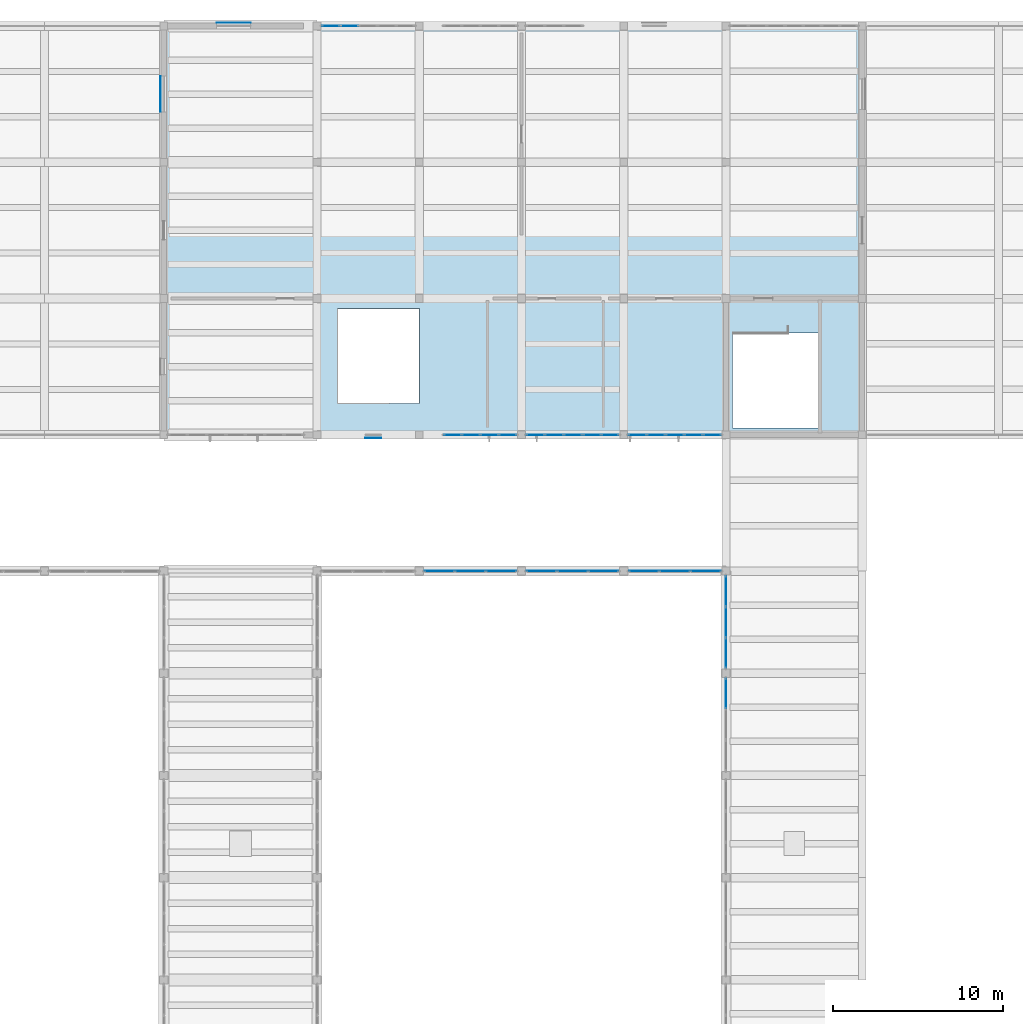
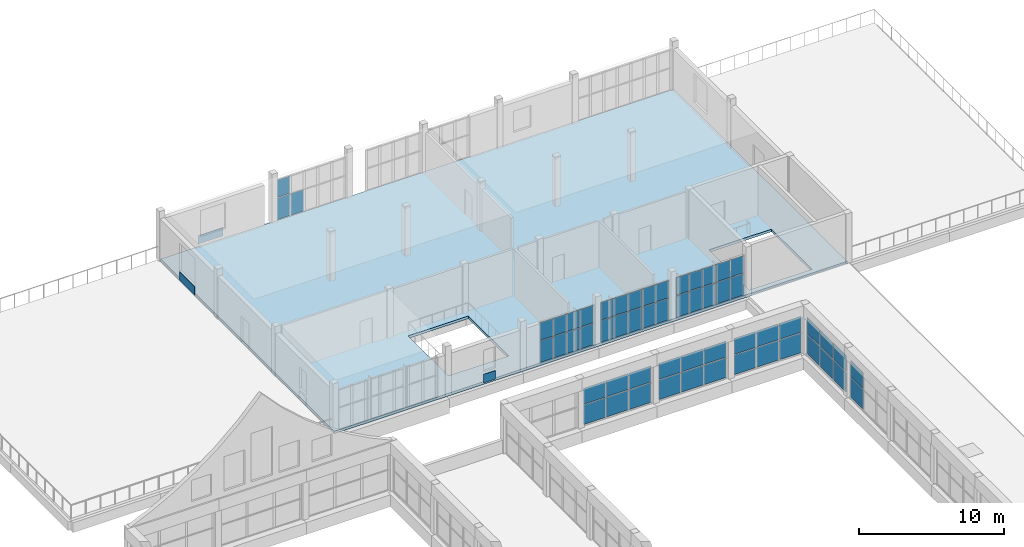
# One storey, part 48 of 70: 60 plates, 1 slab, 10 elements without a shape of their own.
"""IFC4 building model written with IfcOpenShell, lengths in metres."""

from ifc_helpers import new_model, si_unit, direction, frame, origin, origin_2d, place, context, subcontext, project, spatial, polyline, rectangle, outline, extrude, material, layer, layer_set, type_object, element, aggregate, save


model = new_model("IFC4")

# Units and contexts
model_context = context("Model", 3, precision=1e-05, world=origin(), true_north=direction((0.0, 1.0)))
body_context = subcontext(model_context, "Body", "Model", "MODEL_VIEW")
ifc_project = project(units=[si_unit("LENGTHUNIT", "METRE"), si_unit("AREAUNIT", "SQUARE_METRE"), si_unit("VOLUMEUNIT", "CUBIC_METRE"), si_unit("PLANEANGLEUNIT", "RADIAN"), si_unit("MASSUNIT", "GRAM", prefix="KILO")], contexts=[model_context])

# Site, building, storey
site_placement = place(None, origin())
site = spatial("IfcSite", under=ifc_project, at=site_placement, CompositionType="ELEMENT")
building_placement = place(site_placement, origin())
building = spatial("IfcBuilding", under=site, at=building_placement, Name="Solvane Community Centre", CompositionType="ELEMENT")
storey_placement = place(building_placement, frame((0.0, 0.0, 9.60009765625)))
storey = spatial("IfcBuildingStorey", under=building, at=storey_placement, Name="L02", CompositionType="ELEMENT", Elevation=9.60009765625)

# Plates
ifc_material_1 = material(Name="Anodised bronze aluminium AW-6063 T6", Category="aluminium")
ifc_layer_1 = layer(ifc_material_1, 0.02392578125)
ifc_layer_set_1 = layer_set([ifc_layer_1], Name="Anodised bronze aluminium AW-6063 T6")
plate_type_1 = type_object("IfcPlateType", Name="Bronze Spandrel Cassette 24mm", PredefinedType="SHEET", material=ifc_layer_set_1)
plate_1_placement = place(storey_placement, frame((26.81298828125, 106.0, 0.06005859375), z_axis=(0.0, 0.0, 1.0), x_axis=(0.0, 1.0, 0.0)))
element("IfcPlate", 1, at=plate_1_placement, inside=storey, type_object=plate_type_1, Name="Art Deco Spandrel SPC-L02-036", PredefinedType="SHEET", context=body_context, shape_type="SweptSolid", body=[
    extrude(rectangle(XDim=2.10009765625, YDim=0.02392578125, at=origin_2d()), origin(), (0.0, 0.0, 1.0), 0.719970703125),
])
plate_2_placement = place(storey_placement, frame((31.10009765625, 110.18701171875, 0.06005859375), z_axis=(0.0, 0.0, 1.0), x_axis=(1.0, 0.0, 0.0)))
element("IfcPlate", 2, at=plate_2_placement, inside=storey, type_object=plate_type_1, Name="Art Deco Spandrel SPC-L02-037", PredefinedType="SHEET", context=body_context, shape_type="SweptSolid", body=[
    extrude(rectangle(XDim=2.0, YDim=0.02392578125, at=origin_2d()), origin(), (0.0, 0.0, 1.0), 0.719970703125),
])
plate_3_placement = place(storey_placement, frame((39.300048828125, 85.81298828125, 0.06005859375), z_axis=(0.0, 0.0, 1.0), x_axis=(-1.0, 0.0, 0.0)))
element("IfcPlate", 3, at=plate_3_placement, inside=storey, type_object=plate_type_1, Name="Art Deco Spandrel SPC-L02-040", PredefinedType="SHEET", context=body_context, shape_type="SweptSolid", body=[
    extrude(rectangle(XDim=0.949951171875, YDim=0.02392578125, at=origin_2d()), origin(), (0.0, 0.0, 1.0), 0.719970703125),
])

# Slab
ifc_material_2 = material(Name="Cross-laminated timber C24", Category="wood")
ifc_layer_2 = layer(ifc_material_2, 0.219970703125)
ifc_layer_set_2 = layer_set([ifc_layer_2], Name="Cross-laminated timber C24")
slab_type = type_object("IfcSlabType", Name="CLT-Concrete Composite Floor Deck 220mm [FP-L02-V5]", PredefinedType="FLOOR", material=ifc_layer_set_2)
slab_placement = place(storey_placement, frame((0.0, 0.0, -0.22021484375)))
element("IfcSlab", 4, at=slab_placement, inside=storey, type_object=slab_type, Name="Floor Slab FP-L02-V5", PredefinedType="FLOOR", context=body_context, shape_type="SweptSolid", body=[
    extrude(outline(polyline([(27.0, 86.0), (68.0, 86.0), (68.0, 110.0), (27.0, 110.0), (27.0, 86.0)]), holes=[polyline([(60.39990234375, 86.39990234375), (65.39990234375, 86.39990234375), (65.39990234375, 91.97998046875), (60.39990234375, 91.97998046875), (60.39990234375, 86.39990234375)]), polyline([(37.199951171875, 87.840087890625), (42.0, 87.840087890625), (42.0, 93.39990234375), (37.199951171875, 93.39990234375), (37.199951171875, 87.840087890625)])]), origin(), (0.0, 0.0, 1.0), 0.22021484375),
])

# Curtain wall, plates
ifc_layer_3 = layer(ifc_material_1, 0.18994140625)
ifc_layer_set_3 = layer_set([ifc_layer_3], Name="Anodised bronze aluminium AW-6063 T6")
curtain_wall_type_1 = type_object("IfcCurtainWallType", Name="Boulevard Bronze Vision Curtain Wall [22x35dm]", PredefinedType="NOTDEFINED", material=ifc_layer_set_3)
curtain_wall_1_placement = place(storey_placement, origin())
curtain_wall_1 = element("IfcCurtainWall", 5, at=curtain_wall_1_placement, inside=storey, type_object=curtain_wall_type_1, Name="Curtain Wall CW-L02-538_860-211", PredefinedType="NOTDEFINED")
ifc_material_3 = material(Name="Tempered low-E double glazing", Category="glass")
ifc_layer_4 = layer(ifc_material_3, 0.028076171875)
ifc_layer_set_4 = layer_set([ifc_layer_4], Name="Tempered low-E double glazing")
plate_type_2 = type_object("IfcPlateType", Name="Low-E Vision Glazing Panel 28mm [22x35dm]", PredefinedType="CURTAIN_PANEL", material=ifc_layer_set_4)
plate_4_placement = place(storey_placement, frame((53.201171875, 86.0, 0.06005859375), z_axis=(0.0, 0.0, 1.0), x_axis=(-1.0, 0.0, 0.0)))
plate_4 = element("IfcPlate", 6, at=plate_4_placement, type_object=plate_type_2, Name="CW02-22x35 panel 1.1", PredefinedType="CURTAIN_PANEL", context=body_context, shape_type="SweptSolid", body=[
    extrude(rectangle(XDim=0.987548828125, YDim=0.028076171875, at=origin_2d()), origin(), (0.0, 0.0, 1.0), 1.81591796875),
])
plate_5_placement = place(storey_placement, frame((53.201171875, 86.0, 1.93603515625), z_axis=(0.0, 0.0, 1.0), x_axis=(-1.0, 0.0, 0.0)))
plate_5 = element("IfcPlate", 7, at=plate_5_placement, type_object=plate_type_2, Name="CW02-22x35 panel 1.2", PredefinedType="CURTAIN_PANEL", context=body_context, shape_type="SweptSolid", body=[
    extrude(rectangle(XDim=0.987548828125, YDim=0.028076171875, at=origin_2d()), origin(), (0.0, 0.0, 1.0), 1.468994140625),
])
plate_6_placement = place(storey_placement, frame((52.15380859375, 86.0, 0.06005859375), z_axis=(0.0, 0.0, 1.0), x_axis=(-1.0, 0.0, 0.0)))
plate_6 = element("IfcPlate", 8, at=plate_6_placement, type_object=plate_type_2, Name="CW02-22x35 panel 2.1", PredefinedType="CURTAIN_PANEL", context=body_context, shape_type="SweptSolid", body=[
    extrude(rectangle(XDim=0.987548828125, YDim=0.028076171875, at=origin_2d()), origin(), (0.0, 0.0, 1.0), 1.81591796875),
])
plate_7_placement = place(storey_placement, frame((52.15380859375, 86.0, 1.93603515625), z_axis=(0.0, 0.0, 1.0), x_axis=(-1.0, 0.0, 0.0)))
plate_7 = element("IfcPlate", 9, at=plate_7_placement, type_object=plate_type_2, Name="CW02-22x35 panel 2.2", PredefinedType="CURTAIN_PANEL", context=body_context, shape_type="SweptSolid", body=[
    extrude(rectangle(XDim=0.987548828125, YDim=0.028076171875, at=origin_2d()), origin(), (0.0, 0.0, 1.0), 1.468994140625),
])
aggregate(curtain_wall_1, [plate_4, plate_5, plate_6, plate_7])

ifc_layer_5 = layer(ifc_material_1, 0.18994140625)
ifc_layer_set_5 = layer_set([ifc_layer_5], Name="Anodised bronze aluminium AW-6063 T6")
curtain_wall_type_2 = type_object("IfcCurtainWallType", Name="Boulevard Bronze Vision Curtain Wall [34x35dm]", PredefinedType="NOTDEFINED", material=ifc_layer_set_5)
curtain_wall_2_placement = place(storey_placement, origin())
curtain_wall_2 = element("IfcCurtainWall", 10, at=curtain_wall_2_placement, inside=storey, type_object=curtain_wall_type_2, Name="Curtain Wall CW-L02-516_860-212", PredefinedType="NOTDEFINED")
ifc_layer_6 = layer(ifc_material_3, 0.028076171875)
ifc_layer_set_6 = layer_set([ifc_layer_6], Name="Tempered low-E double glazing")
plate_type_3 = type_object("IfcPlateType", Name="Low-E Vision Glazing Panel 28mm [34x35dm]", PredefinedType="CURTAIN_PANEL", material=ifc_layer_set_6)
plate_8_placement = place(storey_placement, frame((51.02587890625, 86.0, 0.06005859375), z_axis=(0.0, 0.0, 1.0), x_axis=(-1.0, 0.0, 0.0)))
plate_8 = element("IfcPlate", 11, at=plate_8_placement, type_object=plate_type_3, Name="CW02-34x35 panel 1.1", PredefinedType="CURTAIN_PANEL", context=body_context, shape_type="SweptSolid", body=[
    extrude(rectangle(XDim=1.0283203125, YDim=0.028076171875, at=origin_2d()), origin(), (0.0, 0.0, 1.0), 1.81591796875),
])
plate_9_placement = place(storey_placement, frame((51.02587890625, 86.0, 1.93603515625), z_axis=(0.0, 0.0, 1.0), x_axis=(-1.0, 0.0, 0.0)))
plate_9 = element("IfcPlate", 12, at=plate_9_placement, type_object=plate_type_3, Name="CW02-34x35 panel 1.2", PredefinedType="CURTAIN_PANEL", context=body_context, shape_type="SweptSolid", body=[
    extrude(rectangle(XDim=1.0283203125, YDim=0.028076171875, at=origin_2d()), origin(), (0.0, 0.0, 1.0), 1.468994140625),
])
plate_10_placement = place(storey_placement, frame((49.922607421875, 86.0, 0.06005859375), z_axis=(0.0, 0.0, 1.0), x_axis=(-1.0, 0.0, 0.0)))
plate_10 = element("IfcPlate", 13, at=plate_10_placement, type_object=plate_type_3, Name="CW02-34x35 panel 2.1", PredefinedType="CURTAIN_PANEL", context=body_context, shape_type="SweptSolid", body=[
    extrude(rectangle(XDim=1.058349609375, YDim=0.028076171875, at=origin_2d()), origin(), (0.0, 0.0, 1.0), 1.81591796875),
])
plate_11_placement = place(storey_placement, frame((49.922607421875, 86.0, 1.93603515625), z_axis=(0.0, 0.0, 1.0), x_axis=(-1.0, 0.0, 0.0)))
plate_11 = element("IfcPlate", 14, at=plate_11_placement, type_object=plate_type_3, Name="CW02-34x35 panel 2.2", PredefinedType="CURTAIN_PANEL", context=body_context, shape_type="SweptSolid", body=[
    extrude(rectangle(XDim=1.058349609375, YDim=0.028076171875, at=origin_2d()), origin(), (0.0, 0.0, 1.0), 1.468994140625),
])
plate_12_placement = place(storey_placement, frame((48.819091796875, 86.0, 0.06005859375), z_axis=(0.0, 0.0, 1.0), x_axis=(-1.0, 0.0, 0.0)))
plate_12 = element("IfcPlate", 15, at=plate_12_placement, type_object=plate_type_3, Name="CW02-34x35 panel 3.1", PredefinedType="CURTAIN_PANEL", context=body_context, shape_type="SweptSolid", body=[
    extrude(rectangle(XDim=1.0283203125, YDim=0.028076171875, at=origin_2d()), origin(), (0.0, 0.0, 1.0), 1.81591796875),
])
plate_13_placement = place(storey_placement, frame((48.819091796875, 86.0, 1.93603515625), z_axis=(0.0, 0.0, 1.0), x_axis=(-1.0, 0.0, 0.0)))
plate_13 = element("IfcPlate", 16, at=plate_13_placement, type_object=plate_type_3, Name="CW02-34x35 panel 3.2", PredefinedType="CURTAIN_PANEL", context=body_context, shape_type="SweptSolid", body=[
    extrude(rectangle(XDim=1.0283203125, YDim=0.028076171875, at=origin_2d()), origin(), (0.0, 0.0, 1.0), 1.468994140625),
])
aggregate(curtain_wall_2, [plate_8, plate_9, plate_10, plate_11, plate_12, plate_13])

ifc_layer_7 = layer(ifc_material_1, 0.18994140625)
ifc_layer_set_7 = layer_set([ifc_layer_7], Name="Anodised bronze aluminium AW-6063 T6")
curtain_wall_type_3 = type_object("IfcCurtainWallType", Name="Boulevard Bronze Vision Curtain Wall [44x35dm]", PredefinedType="NOTDEFINED", material=ifc_layer_set_7)
curtain_wall_3_placement = place(storey_placement, origin())
curtain_wall_3 = element("IfcCurtainWall", 17, at=curtain_wall_3_placement, inside=storey, type_object=curtain_wall_type_3, Name="Curtain Wall CW-L02-478_860-213", PredefinedType="NOTDEFINED")
ifc_layer_8 = layer(ifc_material_3, 0.028076171875)
ifc_layer_set_8 = layer_set([ifc_layer_8], Name="Tempered low-E double glazing")
plate_type_4 = type_object("IfcPlateType", Name="Low-E Vision Glazing Panel 28mm [44x35dm]", PredefinedType="CURTAIN_PANEL", material=ifc_layer_set_8)
plate_14_placement = place(storey_placement, frame((47.195556640625, 86.0, 0.06005859375), z_axis=(0.0, 0.0, 1.0), x_axis=(-1.0, 0.0, 0.0)))
plate_14 = element("IfcPlate", 18, at=plate_14_placement, type_object=plate_type_4, Name="CW02-44x35 panel 1.1", PredefinedType="CURTAIN_PANEL", context=body_context, shape_type="SweptSolid", body=[
    extrude(rectangle(XDim=0.998779296875, YDim=0.028076171875, at=origin_2d()), origin(), (0.0, 0.0, 1.0), 1.81591796875),
])
plate_15_placement = place(storey_placement, frame((47.195556640625, 86.0, 1.93603515625), z_axis=(0.0, 0.0, 1.0), x_axis=(-1.0, 0.0, 0.0)))
plate_15 = element("IfcPlate", 19, at=plate_15_placement, type_object=plate_type_4, Name="CW02-44x35 panel 1.2", PredefinedType="CURTAIN_PANEL", context=body_context, shape_type="SweptSolid", body=[
    extrude(rectangle(XDim=0.998779296875, YDim=0.028076171875, at=origin_2d()), origin(), (0.0, 0.0, 1.0), 1.468994140625),
])
plate_16_placement = place(storey_placement, frame((46.121826171875, 86.0, 0.06005859375), z_axis=(0.0, 0.0, 1.0), x_axis=(-1.0, 0.0, 0.0)))
plate_16 = element("IfcPlate", 20, at=plate_16_placement, type_object=plate_type_4, Name="CW02-44x35 panel 2.1", PredefinedType="CURTAIN_PANEL", context=body_context, shape_type="SweptSolid", body=[
    extrude(rectangle(XDim=1.02880859375, YDim=0.028076171875, at=origin_2d()), origin(), (0.0, 0.0, 1.0), 1.81591796875),
])
plate_17_placement = place(storey_placement, frame((46.121826171875, 86.0, 1.93603515625), z_axis=(0.0, 0.0, 1.0), x_axis=(-1.0, 0.0, 0.0)))
plate_17 = element("IfcPlate", 21, at=plate_17_placement, type_object=plate_type_4, Name="CW02-44x35 panel 2.2", PredefinedType="CURTAIN_PANEL", context=body_context, shape_type="SweptSolid", body=[
    extrude(rectangle(XDim=1.02880859375, YDim=0.028076171875, at=origin_2d()), origin(), (0.0, 0.0, 1.0), 1.468994140625),
])
plate_18_placement = place(storey_placement, frame((45.033203125, 86.0, 0.06005859375), z_axis=(0.0, 0.0, 1.0), x_axis=(-1.0, 0.0, 0.0)))
plate_18 = element("IfcPlate", 22, at=plate_18_placement, type_object=plate_type_4, Name="CW02-44x35 panel 3.1", PredefinedType="CURTAIN_PANEL", context=body_context, shape_type="SweptSolid", body=[
    extrude(rectangle(XDim=1.02880859375, YDim=0.028076171875, at=origin_2d()), origin(), (0.0, 0.0, 1.0), 1.81591796875),
])
plate_19_placement = place(storey_placement, frame((45.033203125, 86.0, 1.93603515625), z_axis=(0.0, 0.0, 1.0), x_axis=(-1.0, 0.0, 0.0)))
plate_19 = element("IfcPlate", 23, at=plate_19_placement, type_object=plate_type_4, Name="CW02-44x35 panel 3.2", PredefinedType="CURTAIN_PANEL", context=body_context, shape_type="SweptSolid", body=[
    extrude(rectangle(XDim=1.02880859375, YDim=0.028076171875, at=origin_2d()), origin(), (0.0, 0.0, 1.0), 1.468994140625),
])
plate_20_placement = place(storey_placement, frame((43.95947265625, 86.0, 0.06005859375), z_axis=(0.0, 0.0, 1.0), x_axis=(-1.0, 0.0, 0.0)))
plate_20 = element("IfcPlate", 24, at=plate_20_placement, type_object=plate_type_4, Name="CW02-44x35 panel 4.1", PredefinedType="CURTAIN_PANEL", context=body_context, shape_type="SweptSolid", body=[
    extrude(rectangle(XDim=0.998779296875, YDim=0.028076171875, at=origin_2d()), origin(), (0.0, 0.0, 1.0), 1.81591796875),
])
plate_21_placement = place(storey_placement, frame((43.95947265625, 86.0, 1.93603515625), z_axis=(0.0, 0.0, 1.0), x_axis=(-1.0, 0.0, 0.0)))
plate_21 = element("IfcPlate", 25, at=plate_21_placement, type_object=plate_type_4, Name="CW02-44x35 panel 4.2", PredefinedType="CURTAIN_PANEL", context=body_context, shape_type="SweptSolid", body=[
    extrude(rectangle(XDim=0.998779296875, YDim=0.028076171875, at=origin_2d()), origin(), (0.0, 0.0, 1.0), 1.468994140625),
])
aggregate(curtain_wall_3, [plate_14, plate_15, plate_16, plate_17, plate_18, plate_19, plate_20, plate_21])

ifc_layer_9 = layer(ifc_material_1, 0.18994140625)
ifc_layer_set_9 = layer_set([ifc_layer_9], Name="Anodised bronze aluminium AW-6063 T6")
curtain_wall_type_4 = type_object("IfcCurtainWallType", Name="Boulevard Bronze Vision Curtain Wall [55x35dm]", PredefinedType="NOTDEFINED", material=ifc_layer_set_9)
curtain_wall_4_placement = place(storey_placement, origin())
curtain_wall_4 = element("IfcCurtainWall", 26, at=curtain_wall_4_placement, inside=storey, type_object=curtain_wall_type_4, Name="Curtain Wall CW-L02-362_1100-206", PredefinedType="NOTDEFINED")
ifc_layer_10 = layer(ifc_material_3, 0.028076171875)
ifc_layer_set_10 = layer_set([ifc_layer_10], Name="Tempered low-E double glazing")
plate_type_5 = type_object("IfcPlateType", Name="Low-E Vision Glazing Panel 28mm [55x35dm]", PredefinedType="CURTAIN_PANEL", material=ifc_layer_set_10)
plate_22_placement = place(storey_placement, frame((36.81103515625, 110.0, 0.06005859375), z_axis=(0.0, 0.0, 1.0), x_axis=(1.0, 0.0, 0.0)))
plate_22 = element("IfcPlate", 27, at=plate_22_placement, type_object=plate_type_5, Name="CW02-55x35 panel 1.1", PredefinedType="CURTAIN_PANEL", context=body_context, shape_type="SweptSolid", body=[
    extrude(rectangle(XDim=1.011962890625, YDim=0.028076171875, at=origin_2d()), origin(), (0.0, 0.0, 1.0), 1.81591796875),
])
plate_23_placement = place(storey_placement, frame((36.81103515625, 110.0, 1.93603515625), z_axis=(0.0, 0.0, 1.0), x_axis=(1.0, 0.0, 0.0)))
plate_23 = element("IfcPlate", 28, at=plate_23_placement, type_object=plate_type_5, Name="CW02-55x35 panel 1.2", PredefinedType="CURTAIN_PANEL", context=body_context, shape_type="SweptSolid", body=[
    extrude(rectangle(XDim=1.011962890625, YDim=0.028076171875, at=origin_2d()), origin(), (0.0, 0.0, 1.0), 1.468994140625),
])
plate_24_placement = place(storey_placement, frame((37.89794921875, 110.0, 0.06005859375), z_axis=(0.0, 0.0, 1.0), x_axis=(1.0, 0.0, 0.0)))
plate_24 = element("IfcPlate", 29, at=plate_24_placement, type_object=plate_type_5, Name="CW02-55x35 panel 2.1", PredefinedType="CURTAIN_PANEL", context=body_context, shape_type="SweptSolid", body=[
    extrude(rectangle(XDim=1.0419921875, YDim=0.028076171875, at=origin_2d()), origin(), (0.0, 0.0, 1.0), 1.81591796875),
])
aggregate(curtain_wall_4, [plate_22, plate_23, plate_24])

curtain_wall_5_placement = place(storey_placement, origin())
curtain_wall_5 = element("IfcCurtainWall", 30, at=curtain_wall_5_placement, inside=storey, type_object=curtain_wall_type_4, Name="Curtain Wall CW-L02-598_860-210", PredefinedType="NOTDEFINED")
plate_25_placement = place(storey_placement, frame((59.18896484375, 86.0, 0.06005859375), z_axis=(0.0, 0.0, 1.0), x_axis=(-1.0, 0.0, 0.0)))
plate_25 = element("IfcPlate", 31, at=plate_25_placement, type_object=plate_type_5, Name="CW02-55x35 panel 1.1", PredefinedType="CURTAIN_PANEL", context=body_context, shape_type="SweptSolid", body=[
    extrude(rectangle(XDim=1.011962890625, YDim=0.028076171875, at=origin_2d()), origin(), (0.0, 0.0, 1.0), 1.81591796875),
])
plate_26_placement = place(storey_placement, frame((59.18896484375, 86.0, 1.93603515625), z_axis=(0.0, 0.0, 1.0), x_axis=(-1.0, 0.0, 0.0)))
plate_26 = element("IfcPlate", 32, at=plate_26_placement, type_object=plate_type_5, Name="CW02-55x35 panel 1.2", PredefinedType="CURTAIN_PANEL", context=body_context, shape_type="SweptSolid", body=[
    extrude(rectangle(XDim=1.011962890625, YDim=0.028076171875, at=origin_2d()), origin(), (0.0, 0.0, 1.0), 1.468994140625),
])
plate_27_placement = place(storey_placement, frame((58.10205078125, 86.0, 0.06005859375), z_axis=(0.0, 0.0, 1.0), x_axis=(-1.0, 0.0, 0.0)))
plate_27 = element("IfcPlate", 33, at=plate_27_placement, type_object=plate_type_5, Name="CW02-55x35 panel 2.1", PredefinedType="CURTAIN_PANEL", context=body_context, shape_type="SweptSolid", body=[
    extrude(rectangle(XDim=1.0419921875, YDim=0.028076171875, at=origin_2d()), origin(), (0.0, 0.0, 1.0), 1.81591796875),
])
plate_28_placement = place(storey_placement, frame((58.10205078125, 86.0, 1.93603515625), z_axis=(0.0, 0.0, 1.0), x_axis=(-1.0, 0.0, 0.0)))
plate_28 = element("IfcPlate", 34, at=plate_28_placement, type_object=plate_type_5, Name="CW02-55x35 panel 2.2", PredefinedType="CURTAIN_PANEL", context=body_context, shape_type="SweptSolid", body=[
    extrude(rectangle(XDim=1.0419921875, YDim=0.028076171875, at=origin_2d()), origin(), (0.0, 0.0, 1.0), 1.468994140625),
])
plate_29_placement = place(storey_placement, frame((57.0, 86.0, 0.06005859375), z_axis=(0.0, 0.0, 1.0), x_axis=(-1.0, 0.0, 0.0)))
plate_29 = element("IfcPlate", 35, at=plate_29_placement, type_object=plate_type_5, Name="CW02-55x35 panel 3.1", PredefinedType="CURTAIN_PANEL", context=body_context, shape_type="SweptSolid", body=[
    extrude(rectangle(XDim=1.0419921875, YDim=0.028076171875, at=origin_2d()), origin(), (0.0, 0.0, 1.0), 1.81591796875),
])
plate_30_placement = place(storey_placement, frame((57.0, 86.0, 1.93603515625), z_axis=(0.0, 0.0, 1.0), x_axis=(-1.0, 0.0, 0.0)))
plate_30 = element("IfcPlate", 36, at=plate_30_placement, type_object=plate_type_5, Name="CW02-55x35 panel 3.2", PredefinedType="CURTAIN_PANEL", context=body_context, shape_type="SweptSolid", body=[
    extrude(rectangle(XDim=1.0419921875, YDim=0.028076171875, at=origin_2d()), origin(), (0.0, 0.0, 1.0), 1.468994140625),
])
plate_31_placement = place(storey_placement, frame((55.89794921875, 86.0, 0.06005859375), z_axis=(0.0, 0.0, 1.0), x_axis=(-1.0, 0.0, 0.0)))
plate_31 = element("IfcPlate", 37, at=plate_31_placement, type_object=plate_type_5, Name="CW02-55x35 panel 4.1", PredefinedType="CURTAIN_PANEL", context=body_context, shape_type="SweptSolid", body=[
    extrude(rectangle(XDim=1.0419921875, YDim=0.028076171875, at=origin_2d()), origin(), (0.0, 0.0, 1.0), 1.81591796875),
])
plate_32_placement = place(storey_placement, frame((55.89794921875, 86.0, 1.93603515625), z_axis=(0.0, 0.0, 1.0), x_axis=(-1.0, 0.0, 0.0)))
plate_32 = element("IfcPlate", 38, at=plate_32_placement, type_object=plate_type_5, Name="CW02-55x35 panel 4.2", PredefinedType="CURTAIN_PANEL", context=body_context, shape_type="SweptSolid", body=[
    extrude(rectangle(XDim=1.0419921875, YDim=0.028076171875, at=origin_2d()), origin(), (0.0, 0.0, 1.0), 1.468994140625),
])
plate_33_placement = place(storey_placement, frame((54.81103515625, 86.0, 0.06005859375), z_axis=(0.0, 0.0, 1.0), x_axis=(-1.0, 0.0, 0.0)))
plate_33 = element("IfcPlate", 39, at=plate_33_placement, type_object=plate_type_5, Name="CW02-55x35 panel 5.1", PredefinedType="CURTAIN_PANEL", context=body_context, shape_type="SweptSolid", body=[
    extrude(rectangle(XDim=1.011962890625, YDim=0.028076171875, at=origin_2d()), origin(), (0.0, 0.0, 1.0), 1.81591796875),
])
plate_34_placement = place(storey_placement, frame((54.81103515625, 86.0, 1.93603515625), z_axis=(0.0, 0.0, 1.0), x_axis=(-1.0, 0.0, 0.0)))
plate_34 = element("IfcPlate", 40, at=plate_34_placement, type_object=plate_type_5, Name="CW02-55x35 panel 5.2", PredefinedType="CURTAIN_PANEL", context=body_context, shape_type="SweptSolid", body=[
    extrude(rectangle(XDim=1.011962890625, YDim=0.028076171875, at=origin_2d()), origin(), (0.0, 0.0, 1.0), 1.468994140625),
])
aggregate(curtain_wall_5, [plate_25, plate_26, plate_27, plate_28, plate_29, plate_30, plate_31, plate_32, plate_33, plate_34])

ifc_layer_11 = layer(ifc_material_1, 0.179931640625)
ifc_layer_set_11 = layer_set([ifc_layer_11], Name="Anodised bronze aluminium AW-6063 T6")
curtain_wall_type_5 = type_object("IfcCurtainWallType", Name="Hall Translucent Upper Curtain Wall [55x32dm]", PredefinedType="NOTDEFINED", material=ifc_layer_set_11)
curtain_wall_6_placement = place(storey_placement, origin())
curtain_wall_6 = element("IfcCurtainWall", 41, at=curtain_wall_6_placement, inside=storey, type_object=curtain_wall_type_5, Name="Curtain Wall CW-L02-600_663-141", PredefinedType="NOTDEFINED")
ifc_material_4 = material(Name="Translucent polycarbonate panel")
ifc_layer_12 = layer(ifc_material_4, 0.028076171875)
ifc_layer_set_12 = layer_set([ifc_layer_12], Name="Translucent polycarbonate panel")
plate_type_6 = type_object("IfcPlateType", Name="Translucent Polycarbonate Panel 28mm [55x32dm]", PredefinedType="CURTAIN_PANEL", material=ifc_layer_set_12)
plate_35_placement = place(storey_placement, frame((60.0, 70.81494140625, 0.059814453125), z_axis=(0.0, 0.0, 1.0), x_axis=(0.0, 1.0, 0.0)))
plate_35 = element("IfcPlate", 42, at=plate_35_placement, type_object=plate_type_6, Name="CW01-55x32 panel 3.1", PredefinedType="CURTAIN_PANEL", context=body_context, shape_type="SweptSolid", body=[
    extrude(rectangle(XDim=1.739990234375, YDim=0.028076171875, at=origin_2d()), origin(), (0.0, 0.0, 1.0), 1.662109375),
])
plate_36_placement = place(storey_placement, frame((60.0, 70.81494140625, 1.78173828125), z_axis=(0.0, 0.0, 1.0), x_axis=(0.0, 1.0, 0.0)))
plate_36 = element("IfcPlate", 43, at=plate_36_placement, type_object=plate_type_6, Name="CW01-55x32 panel 3.2", PredefinedType="CURTAIN_PANEL", context=body_context, shape_type="SweptSolid", body=[
    extrude(rectangle(XDim=1.739990234375, YDim=0.028076171875, at=origin_2d()), origin(), (0.0, 0.0, 1.0), 1.343017578125),
])
aggregate(curtain_wall_6, [plate_35, plate_36])

curtain_wall_7_placement = place(storey_placement, origin())
curtain_wall_7 = element("IfcCurtainWall", 44, at=curtain_wall_7_placement, inside=storey, type_object=curtain_wall_type_5, Name="Curtain Wall CW-L02-600_723-142", PredefinedType="NOTDEFINED")
plate_37_placement = place(storey_placement, frame((60.0, 73.18505859375, 0.059814453125), z_axis=(0.0, 0.0, 1.0), x_axis=(0.0, 1.0, 0.0)))
plate_37 = element("IfcPlate", 45, at=plate_37_placement, type_object=plate_type_6, Name="CW01-55x32 panel 1.1", PredefinedType="CURTAIN_PANEL", context=body_context, shape_type="SweptSolid", body=[
    extrude(rectangle(XDim=1.739990234375, YDim=0.028076171875, at=origin_2d()), origin(), (0.0, 0.0, 1.0), 1.662109375),
])
plate_38_placement = place(storey_placement, frame((60.0, 73.18505859375, 1.78173828125), z_axis=(0.0, 0.0, 1.0), x_axis=(0.0, 1.0, 0.0)))
plate_38 = element("IfcPlate", 46, at=plate_38_placement, type_object=plate_type_6, Name="CW01-55x32 panel 1.2", PredefinedType="CURTAIN_PANEL", context=body_context, shape_type="SweptSolid", body=[
    extrude(rectangle(XDim=1.739990234375, YDim=0.028076171875, at=origin_2d()), origin(), (0.0, 0.0, 1.0), 1.343017578125),
])
plate_39_placement = place(storey_placement, frame((60.0, 75.0, 0.059814453125), z_axis=(0.0, 0.0, 1.0), x_axis=(0.0, 1.0, 0.0)))
plate_39 = element("IfcPlate", 47, at=plate_39_placement, type_object=plate_type_6, Name="CW01-55x32 panel 2.1", PredefinedType="CURTAIN_PANEL", context=body_context, shape_type="SweptSolid", body=[
    extrude(rectangle(XDim=1.77001953125, YDim=0.028076171875, at=origin_2d()), origin(), (0.0, 0.0, 1.0), 1.662109375),
])
plate_40_placement = place(storey_placement, frame((60.0, 75.0, 1.78173828125), z_axis=(0.0, 0.0, 1.0), x_axis=(0.0, 1.0, 0.0)))
plate_40 = element("IfcPlate", 48, at=plate_40_placement, type_object=plate_type_6, Name="CW01-55x32 panel 2.2", PredefinedType="CURTAIN_PANEL", context=body_context, shape_type="SweptSolid", body=[
    extrude(rectangle(XDim=1.77001953125, YDim=0.028076171875, at=origin_2d()), origin(), (0.0, 0.0, 1.0), 1.343017578125),
])
plate_41_placement = place(storey_placement, frame((60.0, 76.81494140625, 0.059814453125), z_axis=(0.0, 0.0, 1.0), x_axis=(0.0, 1.0, 0.0)))
plate_41 = element("IfcPlate", 49, at=plate_41_placement, type_object=plate_type_6, Name="CW01-55x32 panel 3.1", PredefinedType="CURTAIN_PANEL", context=body_context, shape_type="SweptSolid", body=[
    extrude(rectangle(XDim=1.739990234375, YDim=0.028076171875, at=origin_2d()), origin(), (0.0, 0.0, 1.0), 1.662109375),
])
plate_42_placement = place(storey_placement, frame((60.0, 76.81494140625, 1.78173828125), z_axis=(0.0, 0.0, 1.0), x_axis=(0.0, 1.0, 0.0)))
plate_42 = element("IfcPlate", 50, at=plate_42_placement, type_object=plate_type_6, Name="CW01-55x32 panel 3.2", PredefinedType="CURTAIN_PANEL", context=body_context, shape_type="SweptSolid", body=[
    extrude(rectangle(XDim=1.739990234375, YDim=0.028076171875, at=origin_2d()), origin(), (0.0, 0.0, 1.0), 1.343017578125),
])
aggregate(curtain_wall_7, [plate_37, plate_38, plate_39, plate_40, plate_41, plate_42])

curtain_wall_8_placement = place(storey_placement, origin())
curtain_wall_8 = element("IfcCurtainWall", 51, at=curtain_wall_8_placement, inside=storey, type_object=curtain_wall_type_5, Name="Curtain Wall CW-L02-423_780-159", PredefinedType="NOTDEFINED")
plate_43_placement = place(storey_placement, frame((43.18505859375, 78.0, 0.059814453125), z_axis=(0.0, 0.0, 1.0), x_axis=(1.0, 0.0, 0.0)))
plate_43 = element("IfcPlate", 52, at=plate_43_placement, type_object=plate_type_6, Name="CW01-55x32 panel 1.1", PredefinedType="CURTAIN_PANEL", context=body_context, shape_type="SweptSolid", body=[
    extrude(rectangle(XDim=1.739990234375, YDim=0.028076171875, at=origin_2d()), origin(), (0.0, 0.0, 1.0), 1.662109375),
])
plate_44_placement = place(storey_placement, frame((43.18505859375, 78.0, 1.78173828125), z_axis=(0.0, 0.0, 1.0), x_axis=(1.0, 0.0, 0.0)))
plate_44 = element("IfcPlate", 53, at=plate_44_placement, type_object=plate_type_6, Name="CW01-55x32 panel 1.2", PredefinedType="CURTAIN_PANEL", context=body_context, shape_type="SweptSolid", body=[
    extrude(rectangle(XDim=1.739990234375, YDim=0.028076171875, at=origin_2d()), origin(), (0.0, 0.0, 1.0), 1.343017578125),
])
plate_45_placement = place(storey_placement, frame((45.0, 78.0, 0.059814453125), z_axis=(0.0, 0.0, 1.0), x_axis=(1.0, 0.0, 0.0)))
plate_45 = element("IfcPlate", 54, at=plate_45_placement, type_object=plate_type_6, Name="CW01-55x32 panel 2.1", PredefinedType="CURTAIN_PANEL", context=body_context, shape_type="SweptSolid", body=[
    extrude(rectangle(XDim=1.77001953125, YDim=0.028076171875, at=origin_2d()), origin(), (0.0, 0.0, 1.0), 1.662109375),
])
plate_46_placement = place(storey_placement, frame((45.0, 78.0, 1.78173828125), z_axis=(0.0, 0.0, 1.0), x_axis=(1.0, 0.0, 0.0)))
plate_46 = element("IfcPlate", 55, at=plate_46_placement, type_object=plate_type_6, Name="CW01-55x32 panel 2.2", PredefinedType="CURTAIN_PANEL", context=body_context, shape_type="SweptSolid", body=[
    extrude(rectangle(XDim=1.77001953125, YDim=0.028076171875, at=origin_2d()), origin(), (0.0, 0.0, 1.0), 1.343017578125),
])
plate_47_placement = place(storey_placement, frame((46.81494140625, 78.0, 0.059814453125), z_axis=(0.0, 0.0, 1.0), x_axis=(1.0, 0.0, 0.0)))
plate_47 = element("IfcPlate", 56, at=plate_47_placement, type_object=plate_type_6, Name="CW01-55x32 panel 3.1", PredefinedType="CURTAIN_PANEL", context=body_context, shape_type="SweptSolid", body=[
    extrude(rectangle(XDim=1.739990234375, YDim=0.028076171875, at=origin_2d()), origin(), (0.0, 0.0, 1.0), 1.662109375),
])
plate_48_placement = place(storey_placement, frame((46.81494140625, 78.0, 1.78173828125), z_axis=(0.0, 0.0, 1.0), x_axis=(1.0, 0.0, 0.0)))
plate_48 = element("IfcPlate", 57, at=plate_48_placement, type_object=plate_type_6, Name="CW01-55x32 panel 3.2", PredefinedType="CURTAIN_PANEL", context=body_context, shape_type="SweptSolid", body=[
    extrude(rectangle(XDim=1.739990234375, YDim=0.028076171875, at=origin_2d()), origin(), (0.0, 0.0, 1.0), 1.343017578125),
])
aggregate(curtain_wall_8, [plate_43, plate_44, plate_45, plate_46, plate_47, plate_48])

curtain_wall_9_placement = place(storey_placement, origin())
curtain_wall_9 = element("IfcCurtainWall", 58, at=curtain_wall_9_placement, inside=storey, type_object=curtain_wall_type_5, Name="Curtain Wall CW-L02-483_780-160", PredefinedType="NOTDEFINED")
plate_49_placement = place(storey_placement, frame((49.18505859375, 78.0, 0.059814453125), z_axis=(0.0, 0.0, 1.0), x_axis=(1.0, 0.0, 0.0)))
plate_49 = element("IfcPlate", 59, at=plate_49_placement, type_object=plate_type_6, Name="CW01-55x32 panel 1.1", PredefinedType="CURTAIN_PANEL", context=body_context, shape_type="SweptSolid", body=[
    extrude(rectangle(XDim=1.739990234375, YDim=0.028076171875, at=origin_2d()), origin(), (0.0, 0.0, 1.0), 1.662109375),
])
plate_50_placement = place(storey_placement, frame((49.18505859375, 78.0, 1.78173828125), z_axis=(0.0, 0.0, 1.0), x_axis=(1.0, 0.0, 0.0)))
plate_50 = element("IfcPlate", 60, at=plate_50_placement, type_object=plate_type_6, Name="CW01-55x32 panel 1.2", PredefinedType="CURTAIN_PANEL", context=body_context, shape_type="SweptSolid", body=[
    extrude(rectangle(XDim=1.739990234375, YDim=0.028076171875, at=origin_2d()), origin(), (0.0, 0.0, 1.0), 1.343017578125),
])
plate_51_placement = place(storey_placement, frame((51.0, 78.0, 0.059814453125), z_axis=(0.0, 0.0, 1.0), x_axis=(1.0, 0.0, 0.0)))
plate_51 = element("IfcPlate", 61, at=plate_51_placement, type_object=plate_type_6, Name="CW01-55x32 panel 2.1", PredefinedType="CURTAIN_PANEL", context=body_context, shape_type="SweptSolid", body=[
    extrude(rectangle(XDim=1.77001953125, YDim=0.028076171875, at=origin_2d()), origin(), (0.0, 0.0, 1.0), 1.662109375),
])
plate_52_placement = place(storey_placement, frame((51.0, 78.0, 1.78173828125), z_axis=(0.0, 0.0, 1.0), x_axis=(1.0, 0.0, 0.0)))
plate_52 = element("IfcPlate", 62, at=plate_52_placement, type_object=plate_type_6, Name="CW01-55x32 panel 2.2", PredefinedType="CURTAIN_PANEL", context=body_context, shape_type="SweptSolid", body=[
    extrude(rectangle(XDim=1.77001953125, YDim=0.028076171875, at=origin_2d()), origin(), (0.0, 0.0, 1.0), 1.343017578125),
])
plate_53_placement = place(storey_placement, frame((52.81494140625, 78.0, 0.059814453125), z_axis=(0.0, 0.0, 1.0), x_axis=(1.0, 0.0, 0.0)))
plate_53 = element("IfcPlate", 63, at=plate_53_placement, type_object=plate_type_6, Name="CW01-55x32 panel 3.1", PredefinedType="CURTAIN_PANEL", context=body_context, shape_type="SweptSolid", body=[
    extrude(rectangle(XDim=1.739990234375, YDim=0.028076171875, at=origin_2d()), origin(), (0.0, 0.0, 1.0), 1.662109375),
])
plate_54_placement = place(storey_placement, frame((52.81494140625, 78.0, 1.78173828125), z_axis=(0.0, 0.0, 1.0), x_axis=(1.0, 0.0, 0.0)))
plate_54 = element("IfcPlate", 64, at=plate_54_placement, type_object=plate_type_6, Name="CW01-55x32 panel 3.2", PredefinedType="CURTAIN_PANEL", context=body_context, shape_type="SweptSolid", body=[
    extrude(rectangle(XDim=1.739990234375, YDim=0.028076171875, at=origin_2d()), origin(), (0.0, 0.0, 1.0), 1.343017578125),
])
aggregate(curtain_wall_9, [plate_49, plate_50, plate_51, plate_52, plate_53, plate_54])

curtain_wall_10_placement = place(storey_placement, origin())
curtain_wall_10 = element("IfcCurtainWall", 65, at=curtain_wall_10_placement, inside=storey, type_object=curtain_wall_type_5, Name="Curtain Wall CW-L02-543_780-161", PredefinedType="NOTDEFINED")
plate_55_placement = place(storey_placement, frame((55.18505859375, 78.0, 0.059814453125), z_axis=(0.0, 0.0, 1.0), x_axis=(1.0, 0.0, 0.0)))
plate_55 = element("IfcPlate", 66, at=plate_55_placement, type_object=plate_type_6, Name="CW01-55x32 panel 1.1", PredefinedType="CURTAIN_PANEL", context=body_context, shape_type="SweptSolid", body=[
    extrude(rectangle(XDim=1.739990234375, YDim=0.028076171875, at=origin_2d()), origin(), (0.0, 0.0, 1.0), 1.662109375),
])
plate_56_placement = place(storey_placement, frame((55.18505859375, 78.0, 1.78173828125), z_axis=(0.0, 0.0, 1.0), x_axis=(1.0, 0.0, 0.0)))
plate_56 = element("IfcPlate", 67, at=plate_56_placement, type_object=plate_type_6, Name="CW01-55x32 panel 1.2", PredefinedType="CURTAIN_PANEL", context=body_context, shape_type="SweptSolid", body=[
    extrude(rectangle(XDim=1.739990234375, YDim=0.028076171875, at=origin_2d()), origin(), (0.0, 0.0, 1.0), 1.343017578125),
])
plate_57_placement = place(storey_placement, frame((57.0, 78.0, 0.059814453125), z_axis=(0.0, 0.0, 1.0), x_axis=(1.0, 0.0, 0.0)))
plate_57 = element("IfcPlate", 68, at=plate_57_placement, type_object=plate_type_6, Name="CW01-55x32 panel 2.1", PredefinedType="CURTAIN_PANEL", context=body_context, shape_type="SweptSolid", body=[
    extrude(rectangle(XDim=1.77001953125, YDim=0.028076171875, at=origin_2d()), origin(), (0.0, 0.0, 1.0), 1.662109375),
])
plate_58_placement = place(storey_placement, frame((57.0, 78.0, 1.78173828125), z_axis=(0.0, 0.0, 1.0), x_axis=(1.0, 0.0, 0.0)))
plate_58 = element("IfcPlate", 69, at=plate_58_placement, type_object=plate_type_6, Name="CW01-55x32 panel 2.2", PredefinedType="CURTAIN_PANEL", context=body_context, shape_type="SweptSolid", body=[
    extrude(rectangle(XDim=1.77001953125, YDim=0.028076171875, at=origin_2d()), origin(), (0.0, 0.0, 1.0), 1.343017578125),
])
plate_59_placement = place(storey_placement, frame((58.81494140625, 78.0, 0.059814453125), z_axis=(0.0, 0.0, 1.0), x_axis=(1.0, 0.0, 0.0)))
plate_59 = element("IfcPlate", 70, at=plate_59_placement, type_object=plate_type_6, Name="CW01-55x32 panel 3.1", PredefinedType="CURTAIN_PANEL", context=body_context, shape_type="SweptSolid", body=[
    extrude(rectangle(XDim=1.739990234375, YDim=0.028076171875, at=origin_2d()), origin(), (0.0, 0.0, 1.0), 1.662109375),
])
plate_60_placement = place(storey_placement, frame((58.81494140625, 78.0, 1.78173828125), z_axis=(0.0, 0.0, 1.0), x_axis=(1.0, 0.0, 0.0)))
plate_60 = element("IfcPlate", 71, at=plate_60_placement, type_object=plate_type_6, Name="CW01-55x32 panel 3.2", PredefinedType="CURTAIN_PANEL", context=body_context, shape_type="SweptSolid", body=[
    extrude(rectangle(XDim=1.739990234375, YDim=0.028076171875, at=origin_2d()), origin(), (0.0, 0.0, 1.0), 1.343017578125),
])
aggregate(curtain_wall_10, [plate_55, plate_56, plate_57, plate_58, plate_59, plate_60])

save(model, "model.ifc")
